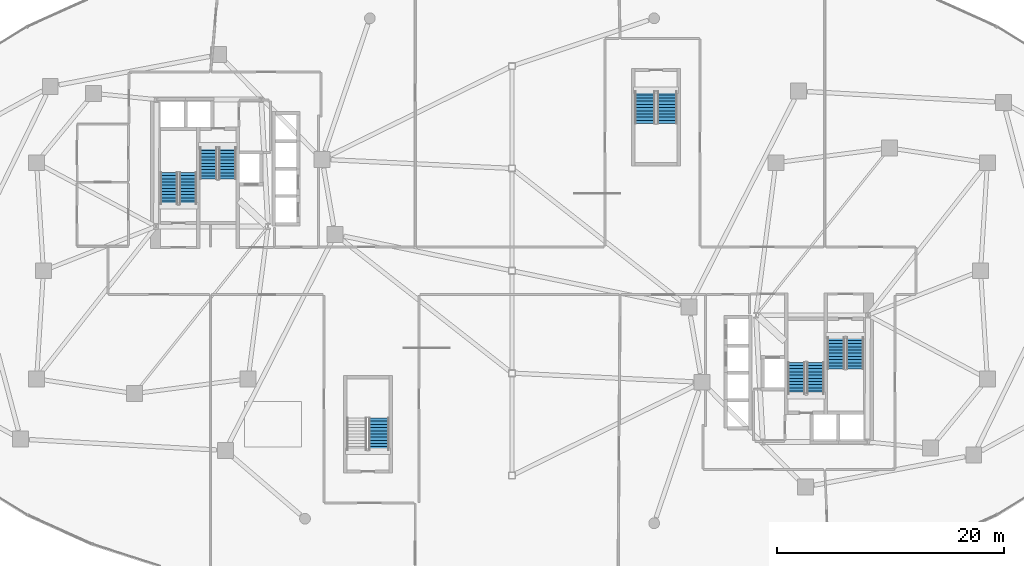
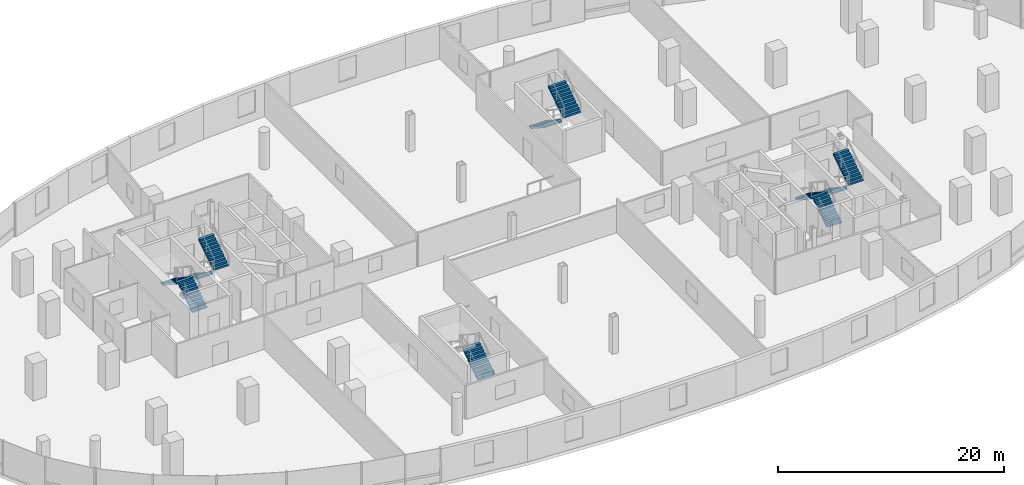
# One storey, part 16 of 18: 11 stair flights, 6 elements without a shape of their own.
"""IFC4 building model written with IfcOpenShell, lengths in metres."""

from ifc_helpers import new_model, si_unit, direction, frame, origin, place, context, subcontext, project, spatial, polyline, outline, extrude, material, type_object, element, aggregate, save


model = new_model("IFC4")

# Units and contexts
model_context = context("Model", 3, precision=1e-05, world=origin(), true_north=direction((0.0, 1.0)))
body_context = subcontext(model_context, "Body", "Model", "MODEL_VIEW")
ifc_project = project(units=[si_unit("LENGTHUNIT", "METRE"), si_unit("AREAUNIT", "SQUARE_METRE"), si_unit("VOLUMEUNIT", "CUBIC_METRE"), si_unit("PLANEANGLEUNIT", "RADIAN"), si_unit("MASSUNIT", "GRAM", prefix="KILO"), si_unit("THERMODYNAMICTEMPERATUREUNIT", "KELVIN"), si_unit("POWERUNIT", "WATT")], contexts=[model_context])

# Site, building, storey
site_placement = place(None, origin())
site = spatial("IfcSite", under=ifc_project, at=site_placement, CompositionType="ELEMENT")
building_placement = place(site_placement, origin())
building = spatial("IfcBuilding", under=site, at=building_placement, Name="Cundina Bronze Exchange", CompositionType="ELEMENT")
storey_placement = place(building_placement, frame((0.0, 0.0, 12.0)))
storey = spatial("IfcBuildingStorey", under=building, at=storey_placement, Name="L02", CompositionType="ELEMENT", Elevation=12.0)

# Stair, stair flight
ifc_material = material(Name="Concrete C40/50", Category="concrete")
stair_type_1 = type_object("IfcStairType", Name="STR-CON-600", PredefinedType="STRAIGHT_RUN_STAIR", material=ifc_material)
stair_1_placement = place(storey_placement, origin())
stair_1 = element("IfcStair", 1, at=stair_1_placement, inside=storey, type_object=stair_type_1, Name="L02 Concourse Exchange Stair W", PredefinedType="HALF_TURN_STAIR")
stair_flight_type_1 = type_object("IfcStairFlightType", Name="FLG-CON-300", PredefinedType="STRAIGHT", material=ifc_material)
stair_flight_1_placement = place(storey_placement, frame((-11.695068359375, -15.75, 0.0), z_axis=(0.0, 0.0, 1.0), x_axis=(0.0, 1.0, 0.0)))
stair_flight_1 = element("IfcStairFlight", 2, at=stair_flight_1_placement, type_object=stair_flight_type_1, Name="ST-PW flight 1", NumberOfRisers=11, NumberOfTreads=10, PredefinedType="STRAIGHT", RiserHeight=0.181818182, TreadLength=0.28, context=body_context, shape_type="SweptSolid", body=[
    extrude(outline(polyline([(0.0, 0.0), (0.0, 0.181884765625), (0.280029296875, 0.181884765625), (0.280029296875, 0.363525390625), (0.56005859375, 0.363525390625), (0.56005859375, 0.54541015625), (0.840087890625, 0.54541015625), (0.840087890625, 0.727294921875), (1.1201171875, 0.727294921875), (1.1201171875, 0.9091796875), (1.39990234375, 0.9091796875), (1.39990234375, 1.0908203125), (1.679931640625, 1.0908203125), (1.679931640625, 1.272705078125), (1.9599609375, 1.272705078125), (1.9599609375, 1.45458984375), (2.239990234375, 1.45458984375), (2.239990234375, 1.636474609375), (2.52001953125, 1.636474609375), (2.52001953125, 1.818115234375), (2.800048828125, 1.818115234375), (2.800048828125, 2.0), (2.800048828125, 1.639404296875), (0.275146484375, 0.0), (0.0, 0.0)])), frame((0.0, 0.875, 0.0), z_axis=(0.0, -1.0, 0.0), x_axis=(1.0, 0.0, 0.0)), (0.0, 0.0, 1.0), 1.75),
])
aggregate(stair_1, [stair_flight_1])

# Stair, stair flights
stair_2_placement = place(storey_placement, origin())
stair_2 = element("IfcStair", 3, at=stair_2_placement, inside=storey, type_object=stair_type_1, Name="L02 Concourse Exchange Stair E", PredefinedType="HALF_TURN_STAIR")
stair_flight_2_placement = place(storey_placement, frame((11.695068359375, 15.75, 0.0), z_axis=(0.0, 0.0, 1.0), x_axis=(0.0, -1.0, 0.0)))
stair_flight_2 = element("IfcStairFlight", 4, at=stair_flight_2_placement, type_object=stair_flight_type_1, Name="ST-PE flight 1", NumberOfRisers=11, NumberOfTreads=10, PredefinedType="STRAIGHT", RiserHeight=0.181818182, TreadLength=0.28, context=body_context, shape_type="SweptSolid", body=[
    extrude(outline(polyline([(0.0, 0.0), (0.0, 0.181884765625), (0.280029296875, 0.181884765625), (0.280029296875, 0.363525390625), (0.56005859375, 0.363525390625), (0.56005859375, 0.54541015625), (0.840087890625, 0.54541015625), (0.840087890625, 0.727294921875), (1.1201171875, 0.727294921875), (1.1201171875, 0.9091796875), (1.39990234375, 0.9091796875), (1.39990234375, 1.0908203125), (1.679931640625, 1.0908203125), (1.679931640625, 1.272705078125), (1.9599609375, 1.272705078125), (1.9599609375, 1.45458984375), (2.239990234375, 1.45458984375), (2.239990234375, 1.636474609375), (2.52001953125, 1.636474609375), (2.52001953125, 1.818115234375), (2.800048828125, 1.818115234375), (2.800048828125, 2.0), (2.800048828125, 1.639404296875), (0.275146484375, 0.0), (0.0, 0.0)])), frame((0.0, 0.875, 0.0), z_axis=(0.0, -1.0, 0.0), x_axis=(1.0, 0.0, 0.0)), (0.0, 0.0, 1.0), 1.75),
])
stair_flight_3_placement = place(storey_placement, frame((13.64501953125, 12.949951171875, 2.0), z_axis=(0.0, 0.0, 1.0), x_axis=(0.0, 1.0, 0.0)))
stair_flight_3 = element("IfcStairFlight", 5, at=stair_flight_3_placement, type_object=stair_flight_type_1, Name="ST-PE flight 2", NumberOfRisers=11, NumberOfTreads=10, PredefinedType="STRAIGHT", RiserHeight=0.181818182, TreadLength=0.28, context=body_context, shape_type="SweptSolid", body=[
    extrude(outline(polyline([(0.0, 0.0), (0.0, 0.181884765625), (0.280029296875, 0.181884765625), (0.280029296875, 0.363525390625), (0.56005859375, 0.363525390625), (0.56005859375, 0.54541015625), (0.840087890625, 0.54541015625), (0.840087890625, 0.727294921875), (1.1201171875, 0.727294921875), (1.1201171875, 0.9091796875), (1.39990234375, 0.9091796875), (1.39990234375, 1.0908203125), (1.679931640625, 1.0908203125), (1.679931640625, 1.272705078125), (1.9599609375, 1.272705078125), (1.9599609375, 1.45458984375), (2.239990234375, 1.45458984375), (2.239990234375, 1.636474609375), (2.52001953125, 1.636474609375), (2.52001953125, 1.818115234375), (2.800048828125, 1.818115234375), (2.800048828125, 2.0), (2.800048828125, 1.639404296875), (0.275146484375, 0.0), (0.0, 0.0)])), frame((0.0, 0.875, 0.0), z_axis=(0.0, -1.0, 0.0), x_axis=(1.0, 0.0, 0.0)), (0.0, 0.0, 1.0), 1.75),
])
aggregate(stair_2, [stair_flight_2, stair_flight_3])

stair_type_2 = type_object("IfcStairType", Name="STR-POD-400", PredefinedType="HALF_TURN_STAIR", material=ifc_material)
stair_3_placement = place(storey_placement, origin())
stair_3 = element("IfcStair", 6, at=stair_3_placement, inside=storey, type_object=stair_type_2, Name="L02 Smokeproof Exit Stair W1", PredefinedType="HALF_TURN_STAIR")
stair_flight_type_2 = type_object("IfcStairFlightType", Name="FLG-POD-200", PredefinedType="STRAIGHT", material=ifc_material)
stair_flight_4_placement = place(storey_placement, frame((-28.489990234375, 5.85009765625, 0.0), z_axis=(0.0, 0.0, 1.0), x_axis=(0.0, 1.0, 0.0)))
stair_flight_4 = element("IfcStairFlight", 7, at=stair_flight_4_placement, type_object=stair_flight_type_2, Name="ST-W1 flight 1", NumberOfRisers=11, NumberOfTreads=10, PredefinedType="STRAIGHT", RiserHeight=0.181818182, TreadLength=0.28, context=body_context, shape_type="SweptSolid", body=[
    extrude(outline(polyline([(0.0, 0.0), (0.0, 0.181884765625), (0.280029296875, 0.181884765625), (0.280029296875, 0.363525390625), (0.56005859375, 0.363525390625), (0.56005859375, 0.54541015625), (0.840087890625, 0.54541015625), (0.840087890625, 0.727294921875), (1.1201171875, 0.727294921875), (1.1201171875, 0.9091796875), (1.39990234375, 0.9091796875), (1.39990234375, 1.0908203125), (1.679931640625, 1.0908203125), (1.679931640625, 1.272705078125), (1.9599609375, 1.272705078125), (1.9599609375, 1.45458984375), (2.239990234375, 1.45458984375), (2.239990234375, 1.636474609375), (2.52001953125, 1.636474609375), (2.52001953125, 1.818115234375), (2.800048828125, 1.818115234375), (2.800048828125, 2.0), (2.800048828125, 1.639404296875), (0.275146484375, 0.0), (0.0, 0.0)])), frame((0.0, 0.75, 0.0), z_axis=(0.0, -1.0, 0.0), x_axis=(1.0, 0.0, 0.0)), (0.0, 0.0, 1.0), 1.5),
])
stair_flight_5_placement = place(storey_placement, frame((-30.14990234375, 8.64990234375, 2.0), z_axis=(0.0, 0.0, 1.0), x_axis=(0.0, -1.0, 0.0)))
stair_flight_5 = element("IfcStairFlight", 8, at=stair_flight_5_placement, type_object=stair_flight_type_2, Name="ST-W1 flight 2", NumberOfRisers=11, NumberOfTreads=10, PredefinedType="STRAIGHT", RiserHeight=0.181818182, TreadLength=0.28, context=body_context, shape_type="SweptSolid", body=[
    extrude(outline(polyline([(0.0, 0.0), (0.0, 0.181884765625), (0.280029296875, 0.181884765625), (0.280029296875, 0.363525390625), (0.56005859375, 0.363525390625), (0.56005859375, 0.54541015625), (0.840087890625, 0.54541015625), (0.840087890625, 0.727294921875), (1.1201171875, 0.727294921875), (1.1201171875, 0.9091796875), (1.39990234375, 0.9091796875), (1.39990234375, 1.0908203125), (1.679931640625, 1.0908203125), (1.679931640625, 1.272705078125), (1.9599609375, 1.272705078125), (1.9599609375, 1.45458984375), (2.239990234375, 1.45458984375), (2.239990234375, 1.636474609375), (2.52001953125, 1.636474609375), (2.52001953125, 1.818115234375), (2.800048828125, 1.818115234375), (2.800048828125, 2.0), (2.800048828125, 1.639404296875), (0.275146484375, 0.0), (0.0, 0.0)])), frame((0.0, 0.75, 0.0), z_axis=(0.0, -1.0, 0.0), x_axis=(1.0, 0.0, 0.0)), (0.0, 0.0, 1.0), 1.5),
])
aggregate(stair_3, [stair_flight_4, stair_flight_5])

stair_4_placement = place(storey_placement, origin())
stair_4 = element("IfcStair", 9, at=stair_4_placement, inside=storey, type_object=stair_type_2, Name="L02 Smokeproof Exit Stair W2", PredefinedType="HALF_TURN_STAIR")
stair_flight_6_placement = place(storey_placement, frame((-26.68994140625, 10.85009765625, 0.0), z_axis=(0.0, 0.0, 1.0), x_axis=(0.0, -1.0, 0.0)))
stair_flight_6 = element("IfcStairFlight", 10, at=stair_flight_6_placement, type_object=stair_flight_type_2, Name="ST-W2 flight 1", NumberOfRisers=11, NumberOfTreads=10, PredefinedType="STRAIGHT", RiserHeight=0.181818182, TreadLength=0.28, context=body_context, shape_type="SweptSolid", body=[
    extrude(outline(polyline([(0.0, 0.0), (0.0, 0.181884765625), (0.280029296875, 0.181884765625), (0.280029296875, 0.363525390625), (0.56005859375, 0.363525390625), (0.56005859375, 0.54541015625), (0.840087890625, 0.54541015625), (0.840087890625, 0.727294921875), (1.1201171875, 0.727294921875), (1.1201171875, 0.9091796875), (1.39990234375, 0.9091796875), (1.39990234375, 1.0908203125), (1.679931640625, 1.0908203125), (1.679931640625, 1.272705078125), (1.9599609375, 1.272705078125), (1.9599609375, 1.45458984375), (2.239990234375, 1.45458984375), (2.239990234375, 1.636474609375), (2.52001953125, 1.636474609375), (2.52001953125, 1.818115234375), (2.800048828125, 1.818115234375), (2.800048828125, 2.0), (2.800048828125, 1.639404296875), (0.275146484375, 0.0), (0.0, 0.0)])), frame((0.0, 0.75, 0.0), z_axis=(0.0, -1.0, 0.0), x_axis=(1.0, 0.0, 0.0)), (0.0, 0.0, 1.0), 1.5),
])
stair_flight_7_placement = place(storey_placement, frame((-25.030029296875, 8.050048828125, 2.0), z_axis=(0.0, 0.0, 1.0), x_axis=(0.0, 1.0, 0.0)))
stair_flight_7 = element("IfcStairFlight", 11, at=stair_flight_7_placement, type_object=stair_flight_type_2, Name="ST-W2 flight 2", NumberOfRisers=11, NumberOfTreads=10, PredefinedType="STRAIGHT", RiserHeight=0.181818182, TreadLength=0.28, context=body_context, shape_type="SweptSolid", body=[
    extrude(outline(polyline([(0.0, 0.0), (0.0, 0.181884765625), (0.280029296875, 0.181884765625), (0.280029296875, 0.363525390625), (0.56005859375, 0.363525390625), (0.56005859375, 0.54541015625), (0.840087890625, 0.54541015625), (0.840087890625, 0.727294921875), (1.1201171875, 0.727294921875), (1.1201171875, 0.9091796875), (1.39990234375, 0.9091796875), (1.39990234375, 1.0908203125), (1.679931640625, 1.0908203125), (1.679931640625, 1.272705078125), (1.9599609375, 1.272705078125), (1.9599609375, 1.45458984375), (2.239990234375, 1.45458984375), (2.239990234375, 1.636474609375), (2.52001953125, 1.636474609375), (2.52001953125, 1.818115234375), (2.800048828125, 1.818115234375), (2.800048828125, 2.0), (2.800048828125, 1.639404296875), (0.275146484375, 0.0), (0.0, 0.0)])), frame((0.0, 0.75, 0.0), z_axis=(0.0, -1.0, 0.0), x_axis=(1.0, 0.0, 0.0)), (0.0, 0.0, 1.0), 1.5),
])
aggregate(stair_4, [stair_flight_6, stair_flight_7])

stair_5_placement = place(storey_placement, origin())
stair_5 = element("IfcStair", 12, at=stair_5_placement, inside=storey, type_object=stair_type_2, Name="L02 Smokeproof Exit Stair E1", PredefinedType="HALF_TURN_STAIR")
stair_flight_8_placement = place(storey_placement, frame((28.489990234375, -5.85009765625, 0.0), z_axis=(0.0, 0.0, 1.0), x_axis=(0.0, -1.0, 0.0)))
stair_flight_8 = element("IfcStairFlight", 13, at=stair_flight_8_placement, type_object=stair_flight_type_2, Name="ST-E1 flight 1", NumberOfRisers=11, NumberOfTreads=10, PredefinedType="STRAIGHT", RiserHeight=0.181818182, TreadLength=0.28, context=body_context, shape_type="SweptSolid", body=[
    extrude(outline(polyline([(0.0, 0.0), (0.0, 0.181884765625), (0.280029296875, 0.181884765625), (0.280029296875, 0.363525390625), (0.56005859375, 0.363525390625), (0.56005859375, 0.54541015625), (0.840087890625, 0.54541015625), (0.840087890625, 0.727294921875), (1.1201171875, 0.727294921875), (1.1201171875, 0.9091796875), (1.39990234375, 0.9091796875), (1.39990234375, 1.0908203125), (1.679931640625, 1.0908203125), (1.679931640625, 1.272705078125), (1.9599609375, 1.272705078125), (1.9599609375, 1.45458984375), (2.239990234375, 1.45458984375), (2.239990234375, 1.636474609375), (2.52001953125, 1.636474609375), (2.52001953125, 1.818115234375), (2.800048828125, 1.818115234375), (2.800048828125, 2.0), (2.800048828125, 1.639404296875), (0.275146484375, 0.0), (0.0, 0.0)])), frame((0.0, 0.75, 0.0), z_axis=(0.0, -1.0, 0.0), x_axis=(1.0, 0.0, 0.0)), (0.0, 0.0, 1.0), 1.5),
])
stair_flight_9_placement = place(storey_placement, frame((30.14990234375, -8.64990234375, 2.0), z_axis=(0.0, 0.0, 1.0), x_axis=(0.0, 1.0, 0.0)))
stair_flight_9 = element("IfcStairFlight", 14, at=stair_flight_9_placement, type_object=stair_flight_type_2, Name="ST-E1 flight 2", NumberOfRisers=11, NumberOfTreads=10, PredefinedType="STRAIGHT", RiserHeight=0.181818182, TreadLength=0.28, context=body_context, shape_type="SweptSolid", body=[
    extrude(outline(polyline([(0.0, 0.0), (0.0, 0.181884765625), (0.280029296875, 0.181884765625), (0.280029296875, 0.363525390625), (0.56005859375, 0.363525390625), (0.56005859375, 0.54541015625), (0.840087890625, 0.54541015625), (0.840087890625, 0.727294921875), (1.1201171875, 0.727294921875), (1.1201171875, 0.9091796875), (1.39990234375, 0.9091796875), (1.39990234375, 1.0908203125), (1.679931640625, 1.0908203125), (1.679931640625, 1.272705078125), (1.9599609375, 1.272705078125), (1.9599609375, 1.45458984375), (2.239990234375, 1.45458984375), (2.239990234375, 1.636474609375), (2.52001953125, 1.636474609375), (2.52001953125, 1.818115234375), (2.800048828125, 1.818115234375), (2.800048828125, 2.0), (2.800048828125, 1.639404296875), (0.275146484375, 0.0), (0.0, 0.0)])), frame((0.0, 0.75, 0.0), z_axis=(0.0, -1.0, 0.0), x_axis=(1.0, 0.0, 0.0)), (0.0, 0.0, 1.0), 1.5),
])
aggregate(stair_5, [stair_flight_8, stair_flight_9])

stair_6_placement = place(storey_placement, origin())
stair_6 = element("IfcStair", 15, at=stair_6_placement, inside=storey, type_object=stair_type_2, Name="L02 Smokeproof Exit Stair E2", PredefinedType="HALF_TURN_STAIR")
stair_flight_10_placement = place(storey_placement, frame((26.68994140625, -10.85009765625, 0.0), z_axis=(0.0, 0.0, 1.0), x_axis=(0.0, 1.0, 0.0)))
stair_flight_10 = element("IfcStairFlight", 16, at=stair_flight_10_placement, type_object=stair_flight_type_2, Name="ST-E2 flight 1", NumberOfRisers=11, NumberOfTreads=10, PredefinedType="STRAIGHT", RiserHeight=0.181818182, TreadLength=0.28, context=body_context, shape_type="SweptSolid", body=[
    extrude(outline(polyline([(0.0, 0.0), (0.0, 0.181884765625), (0.280029296875, 0.181884765625), (0.280029296875, 0.363525390625), (0.56005859375, 0.363525390625), (0.56005859375, 0.54541015625), (0.840087890625, 0.54541015625), (0.840087890625, 0.727294921875), (1.1201171875, 0.727294921875), (1.1201171875, 0.9091796875), (1.39990234375, 0.9091796875), (1.39990234375, 1.0908203125), (1.679931640625, 1.0908203125), (1.679931640625, 1.272705078125), (1.9599609375, 1.272705078125), (1.9599609375, 1.45458984375), (2.239990234375, 1.45458984375), (2.239990234375, 1.636474609375), (2.52001953125, 1.636474609375), (2.52001953125, 1.818115234375), (2.800048828125, 1.818115234375), (2.800048828125, 2.0), (2.800048828125, 1.639404296875), (0.275146484375, 0.0), (0.0, 0.0)])), frame((0.0, 0.75, 0.0), z_axis=(0.0, -1.0, 0.0), x_axis=(1.0, 0.0, 0.0)), (0.0, 0.0, 1.0), 1.5),
])
stair_flight_11_placement = place(storey_placement, frame((25.030029296875, -8.050048828125, 2.0), z_axis=(0.0, 0.0, 1.0), x_axis=(0.0, -1.0, 0.0)))
stair_flight_11 = element("IfcStairFlight", 17, at=stair_flight_11_placement, type_object=stair_flight_type_2, Name="ST-E2 flight 2", NumberOfRisers=11, NumberOfTreads=10, PredefinedType="STRAIGHT", RiserHeight=0.181818182, TreadLength=0.28, context=body_context, shape_type="SweptSolid", body=[
    extrude(outline(polyline([(0.0, 0.0), (0.0, 0.181884765625), (0.280029296875, 0.181884765625), (0.280029296875, 0.363525390625), (0.56005859375, 0.363525390625), (0.56005859375, 0.54541015625), (0.840087890625, 0.54541015625), (0.840087890625, 0.727294921875), (1.1201171875, 0.727294921875), (1.1201171875, 0.9091796875), (1.39990234375, 0.9091796875), (1.39990234375, 1.0908203125), (1.679931640625, 1.0908203125), (1.679931640625, 1.272705078125), (1.9599609375, 1.272705078125), (1.9599609375, 1.45458984375), (2.239990234375, 1.45458984375), (2.239990234375, 1.636474609375), (2.52001953125, 1.636474609375), (2.52001953125, 1.818115234375), (2.800048828125, 1.818115234375), (2.800048828125, 2.0), (2.800048828125, 1.639404296875), (0.275146484375, 0.0), (0.0, 0.0)])), frame((0.0, 0.75, 0.0), z_axis=(0.0, -1.0, 0.0), x_axis=(1.0, 0.0, 0.0)), (0.0, 0.0, 1.0), 1.5),
])
aggregate(stair_6, [stair_flight_10, stair_flight_11])

save(model, "model.ifc")
